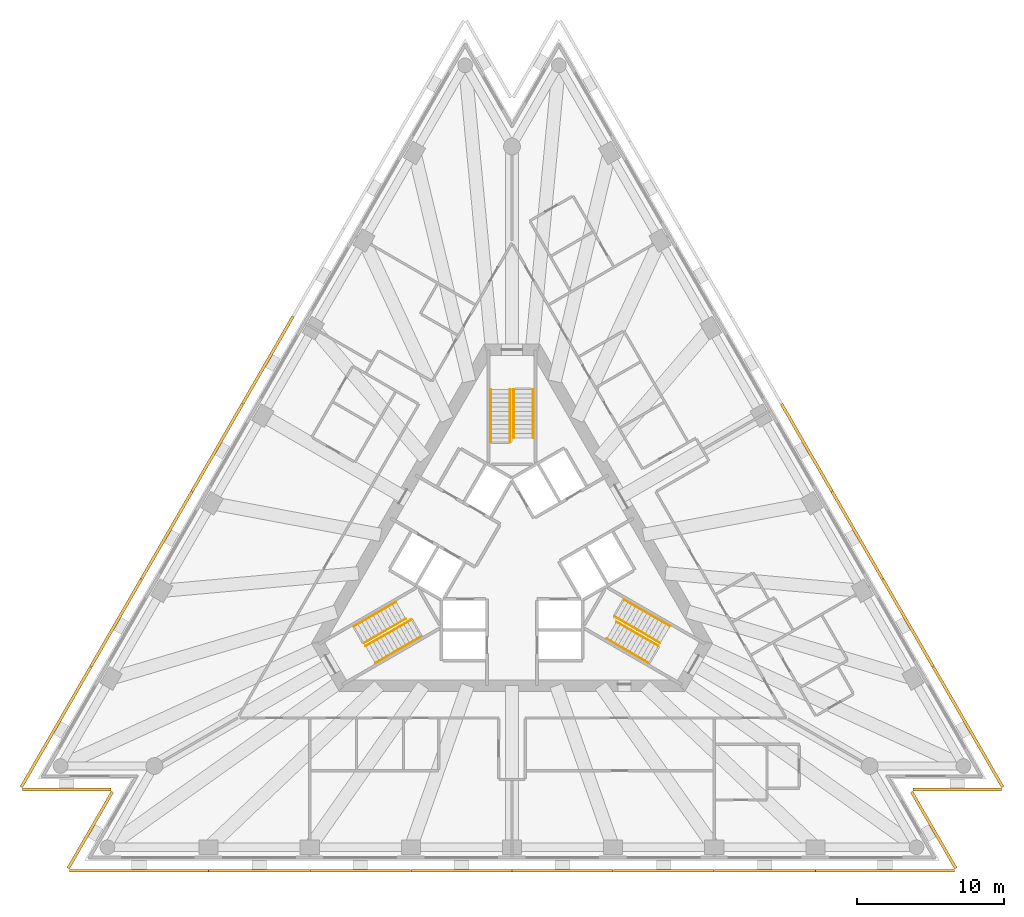
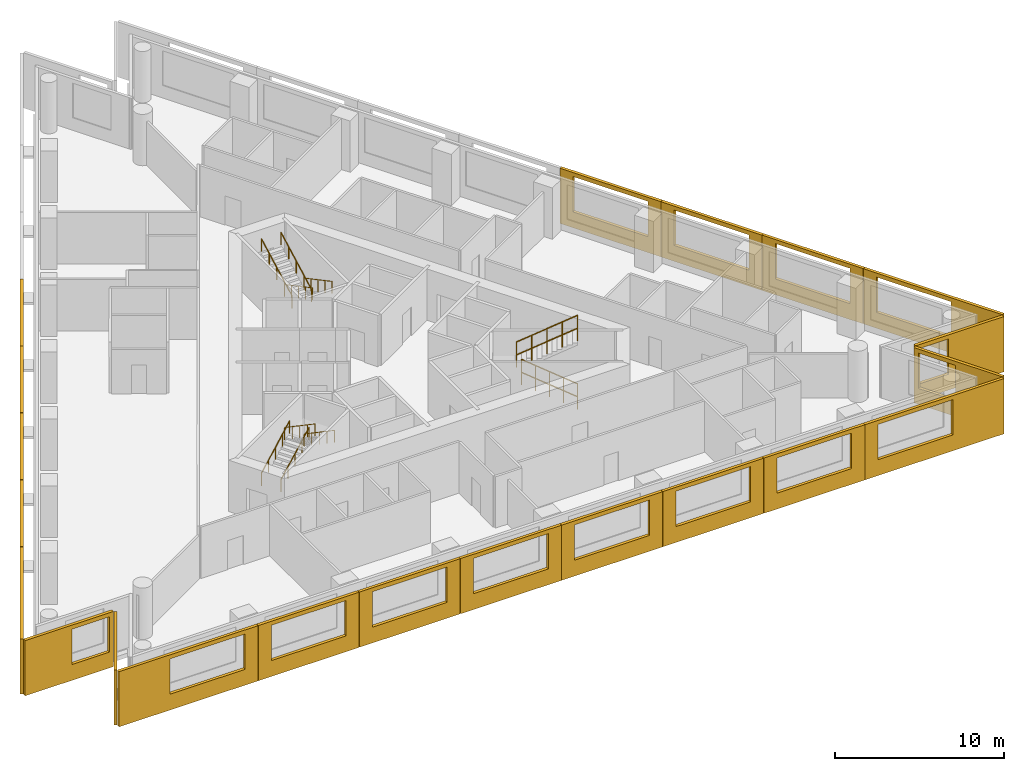
# One storey, part 9 of 10: 21 shading devices, 12 railings, 3 elements without a shape of their own.
"""IFC4 building model written with IfcOpenShell, lengths in metres."""

from ifc_helpers import new_model, si_unit, direction, frame, origin, origin_2d, place, context, subcontext, project, spatial, polyline, circle, outline, extrude, material, layer, layer_set, type_object, element, aggregate, save


model = new_model("IFC4")

# Units and contexts
model_context = context("Model", 3, precision=1e-05, world=origin(), true_north=direction((0.0, 1.0)))
body_context = subcontext(model_context, "Body", "Model", "MODEL_VIEW")
ifc_project = project(units=[si_unit("LENGTHUNIT", "METRE"), si_unit("AREAUNIT", "SQUARE_METRE"), si_unit("VOLUMEUNIT", "CUBIC_METRE"), si_unit("PLANEANGLEUNIT", "RADIAN"), si_unit("MASSUNIT", "GRAM", prefix="KILO")], contexts=[model_context])

# Site, building, storey
site_placement = place(None, origin())
site = spatial("IfcSite", under=ifc_project, at=site_placement, CompositionType="ELEMENT")
building_placement = place(site_placement, origin())
building = spatial("IfcBuilding", under=site, at=building_placement, Name="Triada Interchange Tower", CompositionType="ELEMENT")
storey_placement = place(building_placement, frame((0.0, 0.0, 116.300048828125)))
storey = spatial("IfcBuildingStorey", under=building, at=storey_placement, Name="L26", CompositionType="ELEMENT", Elevation=116.300048828125)

# Shading devices
ifc_material_1 = material(Name="Concrete C50/60 precast", Category="concrete")
ifc_layer_1 = layer(ifc_material_1, 0.02001953125, Name="Exposed aggregate face")
ifc_layer_2 = layer(ifc_material_1, 0.179931640625, Name="Precast concrete screen")
ifc_layer_set = layer_set([ifc_layer_1, ifc_layer_2], Name="Outer skin screen panel 3980")
shading_device_type = type_object("IfcShadingDeviceType", Name="Outer skin screen panel 3980", PredefinedType="SHUTTER", material=ifc_layer_set)
shading_device_1_placement = place(storey_placement, frame((-14.85009765625, 16.527099609375, -0.2900390625), z_axis=(0.0, 0.0, 1.0), x_axis=(-0.500025633803, -0.866010603596, 0.0)))
element("IfcShadingDevice", 1, at=shading_device_1_placement, inside=storey, type_object=shading_device_type, Name="Outer skin screen panel L26 04", PredefinedType="SHUTTER", context=body_context, shape_type="SweptSolid", body=[
    extrude(outline(polyline([(0.0, 0.0), (6.877685546875, 0.0), (6.877685546875, 3.97998046875), (0.0, 3.97998046875), (0.0, 0.0)]), holes=[polyline([(0.888916015625, 1.139892578125), (0.888916015625, 3.68994140625), (5.989013671875, 3.68994140625), (5.989013671875, 1.139892578125), (0.888916015625, 1.139892578125)])]), frame((0.0, 0.0, 0.0), z_axis=(0.0, -1.0, 0.0), x_axis=(1.0, 0.0, 0.0)), (0.0, 0.0, 1.0), 0.199951171875),
])
shading_device_2_placement = place(storey_placement, frame((-18.299072265625, 10.552978515625, -0.2900390625), z_axis=(0.0, 0.0, 1.0), x_axis=(-0.499919131929, -0.866072087953, 0.0)))
element("IfcShadingDevice", 2, at=shading_device_2_placement, inside=storey, type_object=shading_device_type, Name="Outer skin screen panel L26 05", PredefinedType="SHUTTER", context=body_context, shape_type="SweptSolid", body=[
    extrude(outline(polyline([(0.0, 0.0), (6.877197265625, 0.0), (6.877197265625, 3.97998046875), (0.0, 3.97998046875), (0.0, 0.0)]), holes=[polyline([(0.88916015625, 1.139892578125), (0.88916015625, 3.68994140625), (5.989013671875, 3.68994140625), (5.989013671875, 1.139892578125), (0.88916015625, 1.139892578125)])]), frame((0.0, 0.0, 0.0), z_axis=(0.0, -1.0, 0.0), x_axis=(1.0, 0.0, 0.0)), (0.0, 0.0, 1.0), 0.199951171875),
])
shading_device_3_placement = place(storey_placement, frame((-21.7470703125, 4.580078125, -0.2900390625), z_axis=(0.0, 0.0, 1.0), x_axis=(-0.499964153563, -0.866046098746, 0.0)))
element("IfcShadingDevice", 3, at=shading_device_3_placement, inside=storey, type_object=shading_device_type, Name="Outer skin screen panel L26 06", PredefinedType="SHUTTER", context=body_context, shape_type="SweptSolid", body=[
    extrude(outline(polyline([(0.0, 0.0), (6.87841796875, 0.0), (6.87841796875, 3.97998046875), (0.0, 3.97998046875), (0.0, 0.0)]), holes=[polyline([(0.88916015625, 1.139892578125), (0.88916015625, 3.68994140625), (5.9892578125, 3.68994140625), (5.9892578125, 1.139892578125), (0.88916015625, 1.139892578125)])]), frame((0.0, 0.0, 0.0), z_axis=(0.0, -1.0, 0.0), x_axis=(1.0, 0.0, 0.0)), (0.0, 0.0, 1.0), 0.199951171875),
])
shading_device_4_placement = place(storey_placement, frame((-25.196044921875, -1.39404296875, -0.2900390625), z_axis=(0.0, 0.0, 1.0), x_axis=(-0.499964153563, -0.866046098746, 0.0)))
element("IfcShadingDevice", 4, at=shading_device_4_placement, inside=storey, type_object=shading_device_type, Name="Outer skin screen panel L26 07", PredefinedType="SHUTTER", context=body_context, shape_type="SweptSolid", body=[
    extrude(outline(polyline([(0.0, 0.0), (6.87841796875, 0.0), (6.87841796875, 3.97998046875), (0.0, 3.97998046875), (0.0, 0.0)]), holes=[polyline([(0.889404296875, 1.139892578125), (0.889404296875, 3.68994140625), (5.989501953125, 3.68994140625), (5.989501953125, 1.139892578125), (0.889404296875, 1.139892578125)])]), frame((0.0, 0.0, 0.0), z_axis=(0.0, -1.0, 0.0), x_axis=(1.0, 0.0, 0.0)), (0.0, 0.0, 1.0), 0.199951171875),
])
shading_device_5_placement = place(storey_placement, frame((-28.64501953125, -7.367919921875, -0.2900390625), z_axis=(0.0, 0.0, 1.0), x_axis=(-0.500021309151, -0.866013100591, 0.0)))
element("IfcShadingDevice", 5, at=shading_device_5_placement, inside=storey, type_object=shading_device_type, Name="Outer skin screen panel L26 08", PredefinedType="SHUTTER", context=body_context, shape_type="SweptSolid", body=[
    extrude(outline(polyline([(0.0, 0.0), (9.4755859375, 0.0), (9.4755859375, 3.97998046875), (0.0, 3.97998046875), (0.0, 0.0)]), holes=[polyline([(0.888427734375, 1.139892578125), (0.888427734375, 3.68994140625), (5.988525390625, 3.68994140625), (5.988525390625, 1.139892578125), (0.888427734375, 1.139892578125)])]), frame((0.0, 0.0, 0.0), z_axis=(0.0, -1.0, 0.0), x_axis=(1.0, 0.0, 0.0)), (0.0, 0.0, 1.0), 0.199951171875),
])
shading_device_6_placement = place(storey_placement, frame((-33.3779296875, -15.5830078125, -0.2900390625), z_axis=(0.0, 0.0, 1.0), x_axis=(1.0, 0.0, 0.0)))
element("IfcShadingDevice", 6, at=shading_device_6_placement, inside=storey, type_object=shading_device_type, Name="Outer skin screen panel L26 09", PredefinedType="SHUTTER", context=body_context, shape_type="SweptSolid", body=[
    extrude(outline(polyline([(0.0, 0.0), (6.031982421875, 0.0), (6.031982421875, 3.97998046875), (0.0, 3.97998046875), (0.0, 0.0)]), holes=[polyline([(3.175048828125, 1.139892578125), (3.175048828125, 3.68994140625), (5.73193359375, 3.68994140625), (5.73193359375, 1.139892578125), (3.175048828125, 1.139892578125)])]), frame((0.0, 0.0, 0.0), z_axis=(0.0, -1.0, 0.0), x_axis=(1.0, 0.0, 0.0)), (0.0, 0.0, 1.0), 0.199951171875),
])
shading_device_7_placement = place(storey_placement, frame((-27.16796875, -15.89208984375, -0.2900390625), z_axis=(0.0, 0.0, 1.0), x_axis=(-0.500083355775, -0.865977272956, 0.0)))
element("IfcShadingDevice", 7, at=shading_device_7_placement, inside=storey, type_object=shading_device_type, Name="Outer skin screen panel L26 10", PredefinedType="SHUTTER", context=body_context, shape_type="SweptSolid", body=[
    extrude(outline(polyline([(0.0, 0.0), (6.03125, 0.0), (6.03125, 3.97998046875), (0.0, 3.97998046875), (0.0, 0.0)]), holes=[polyline([(0.300048828125, 1.139892578125), (0.300048828125, 3.68994140625), (2.2578125, 3.68994140625), (2.2578125, 1.139892578125), (0.300048828125, 1.139892578125)])]), frame((0.0, 0.0, 0.0), z_axis=(0.0, -1.0, 0.0), x_axis=(1.0, 0.0, 0.0)), (0.0, 0.0, 1.0), 0.199951171875),
])
shading_device_8_placement = place(storey_placement, frame((-30.178955078125, -21.1240234375, -0.2900390625), z_axis=(0.0, 0.0, 1.0), x_axis=(1.0, 0.0, 0.0)))
element("IfcShadingDevice", 8, at=shading_device_8_placement, inside=storey, type_object=shading_device_type, Name="Outer skin screen panel L26 11", PredefinedType="SHUTTER", context=body_context, shape_type="SweptSolid", body=[
    extrude(outline(polyline([(0.0, 0.0), (9.47607421875, 0.0), (9.47607421875, 3.97998046875), (0.0, 3.97998046875), (0.0, 0.0)]), holes=[polyline([(3.487060546875, 1.139892578125), (3.487060546875, 3.68994140625), (8.5869140625, 3.68994140625), (8.5869140625, 1.139892578125), (3.487060546875, 1.139892578125)])]), frame((0.0, 0.0, 0.0), z_axis=(0.0, -1.0, 0.0), x_axis=(1.0, 0.0, 0.0)), (0.0, 0.0, 1.0), 0.199951171875),
])
shading_device_9_placement = place(storey_placement, frame((-20.68310546875, -21.1240234375, -0.2900390625), z_axis=(0.0, 0.0, 1.0), x_axis=(1.0, 0.0, 0.0)))
element("IfcShadingDevice", 9, at=shading_device_9_placement, inside=storey, type_object=shading_device_type, Name="Outer skin screen panel L26 12", PredefinedType="SHUTTER", context=body_context, shape_type="SweptSolid", body=[
    extrude(outline(polyline([(0.0, 0.0), (6.877197265625, 0.0), (6.877197265625, 3.97998046875), (0.0, 3.97998046875), (0.0, 0.0)]), holes=[polyline([(0.889404296875, 1.139892578125), (0.889404296875, 3.68994140625), (5.9892578125, 3.68994140625), (5.9892578125, 1.139892578125), (0.889404296875, 1.139892578125)])]), frame((0.0, 0.0, 0.0), z_axis=(0.0, -1.0, 0.0), x_axis=(1.0, 0.0, 0.0)), (0.0, 0.0, 1.0), 0.199951171875),
])
shading_device_10_placement = place(storey_placement, frame((-13.785888671875, -21.1240234375, -0.2900390625), z_axis=(0.0, 0.0, 1.0), x_axis=(1.0, 0.0, 0.0)))
element("IfcShadingDevice", 10, at=shading_device_10_placement, inside=storey, type_object=shading_device_type, Name="Outer skin screen panel L26 13", PredefinedType="SHUTTER", context=body_context, shape_type="SweptSolid", body=[
    extrude(outline(polyline([(0.0, 0.0), (6.8779296875, 0.0), (6.8779296875, 3.97998046875), (0.0, 3.97998046875), (0.0, 0.0)]), holes=[polyline([(0.888427734375, 1.139892578125), (0.888427734375, 3.68994140625), (5.988525390625, 3.68994140625), (5.988525390625, 1.139892578125), (0.888427734375, 1.139892578125)])]), frame((0.0, 0.0, 0.0), z_axis=(0.0, -1.0, 0.0), x_axis=(1.0, 0.0, 0.0)), (0.0, 0.0, 1.0), 0.199951171875),
])
shading_device_11_placement = place(storey_placement, frame((-6.887939453125, -21.1240234375, -0.2900390625), z_axis=(0.0, 0.0, 1.0), x_axis=(1.0, 0.0, 0.0)))
element("IfcShadingDevice", 11, at=shading_device_11_placement, inside=storey, type_object=shading_device_type, Name="Outer skin screen panel L26 14", PredefinedType="SHUTTER", context=body_context, shape_type="SweptSolid", body=[
    extrude(outline(polyline([(0.0, 0.0), (6.8779296875, 0.0), (6.8779296875, 3.97998046875), (0.0, 3.97998046875), (0.0, 0.0)]), holes=[polyline([(0.888916015625, 1.139892578125), (0.888916015625, 3.68994140625), (5.98876953125, 3.68994140625), (5.98876953125, 1.139892578125), (0.888916015625, 1.139892578125)])]), frame((0.0, 0.0, 0.0), z_axis=(0.0, -1.0, 0.0), x_axis=(1.0, 0.0, 0.0)), (0.0, 0.0, 1.0), 0.199951171875),
])
shading_device_12_placement = place(storey_placement, frame((0.010009765625, -21.1240234375, -0.2900390625), z_axis=(0.0, 0.0, 1.0), x_axis=(1.0, 0.0, 0.0)))
element("IfcShadingDevice", 12, at=shading_device_12_placement, inside=storey, type_object=shading_device_type, Name="Outer skin screen panel L26 15", PredefinedType="SHUTTER", context=body_context, shape_type="SweptSolid", body=[
    extrude(outline(polyline([(0.0, 0.0), (6.8779296875, 0.0), (6.8779296875, 3.97998046875), (0.0, 3.97998046875), (0.0, 0.0)]), holes=[polyline([(0.888916015625, 1.139892578125), (0.888916015625, 3.68994140625), (5.989013671875, 3.68994140625), (5.989013671875, 1.139892578125), (0.888916015625, 1.139892578125)])]), frame((0.0, 0.0, 0.0), z_axis=(0.0, -1.0, 0.0), x_axis=(1.0, 0.0, 0.0)), (0.0, 0.0, 1.0), 0.199951171875),
])
shading_device_13_placement = place(storey_placement, frame((6.907958984375, -21.1240234375, -0.2900390625), z_axis=(0.0, 0.0, 1.0), x_axis=(1.0, 0.0, 0.0)))
element("IfcShadingDevice", 13, at=shading_device_13_placement, inside=storey, type_object=shading_device_type, Name="Outer skin screen panel L26 16", PredefinedType="SHUTTER", context=body_context, shape_type="SweptSolid", body=[
    extrude(outline(polyline([(0.0, 0.0), (6.876953125, 0.0), (6.876953125, 3.97998046875), (0.0, 3.97998046875), (0.0, 0.0)]), holes=[polyline([(0.88916015625, 1.139892578125), (0.88916015625, 3.68994140625), (5.9892578125, 3.68994140625), (5.9892578125, 1.139892578125), (0.88916015625, 1.139892578125)])]), frame((0.0, 0.0, 0.0), z_axis=(0.0, -1.0, 0.0), x_axis=(1.0, 0.0, 0.0)), (0.0, 0.0, 1.0), 0.199951171875),
])
shading_device_14_placement = place(storey_placement, frame((13.804931640625, -21.1240234375, -0.2900390625), z_axis=(0.0, 0.0, 1.0), x_axis=(1.0, 0.0, 0.0)))
element("IfcShadingDevice", 14, at=shading_device_14_placement, inside=storey, type_object=shading_device_type, Name="Outer skin screen panel L26 17", PredefinedType="SHUTTER", context=body_context, shape_type="SweptSolid", body=[
    extrude(outline(polyline([(0.0, 0.0), (6.878173828125, 0.0), (6.878173828125, 3.97998046875), (0.0, 3.97998046875), (0.0, 0.0)]), holes=[polyline([(0.888427734375, 1.139892578125), (0.888427734375, 3.68994140625), (5.988525390625, 3.68994140625), (5.988525390625, 1.139892578125), (0.888427734375, 1.139892578125)])]), frame((0.0, 0.0, 0.0), z_axis=(0.0, -1.0, 0.0), x_axis=(1.0, 0.0, 0.0)), (0.0, 0.0, 1.0), 0.199951171875),
])
shading_device_15_placement = place(storey_placement, frame((20.702880859375, -21.1240234375, -0.2900390625), z_axis=(0.0, 0.0, 1.0), x_axis=(1.0, 0.0, 0.0)))
element("IfcShadingDevice", 15, at=shading_device_15_placement, inside=storey, type_object=shading_device_type, Name="Outer skin screen panel L26 18", PredefinedType="SHUTTER", context=body_context, shape_type="SweptSolid", body=[
    extrude(outline(polyline([(0.0, 0.0), (9.47607421875, 0.0), (9.47607421875, 3.97998046875), (0.0, 3.97998046875), (0.0, 0.0)]), holes=[polyline([(0.888916015625, 1.139892578125), (0.888916015625, 3.68994140625), (5.98876953125, 3.68994140625), (5.98876953125, 1.139892578125), (0.888916015625, 1.139892578125)])]), frame((0.0, 0.0, 0.0), z_axis=(0.0, -1.0, 0.0), x_axis=(1.0, 0.0, 0.0)), (0.0, 0.0, 1.0), 0.199951171875),
])
shading_device_16_placement = place(storey_placement, frame((30.18408203125, -21.114990234375, -0.2900390625), z_axis=(0.0, 0.0, 1.0), x_axis=(-0.500083355775, 0.865977272956, 0.0)))
element("IfcShadingDevice", 16, at=shading_device_16_placement, inside=storey, type_object=shading_device_type, Name="Outer skin screen panel L26 19", PredefinedType="SHUTTER", context=body_context, shape_type="SweptSolid", body=[
    extrude(outline(polyline([(0.0, 0.0), (6.03125, 0.0), (6.03125, 3.97998046875), (0.0, 3.97998046875), (0.0, 0.0)]), holes=[polyline([(3.17529296875, 1.139892578125), (3.17529296875, 3.68994140625), (5.73193359375, 3.68994140625), (5.73193359375, 1.139892578125), (3.17529296875, 1.139892578125)])]), frame((0.0, 0.0, 0.0), z_axis=(0.0, -1.0, 0.0), x_axis=(1.0, 0.0, 0.0)), (0.0, 0.0, 1.0), 0.199951171875),
])
shading_device_17_placement = place(storey_placement, frame((27.345947265625, -15.5830078125, -0.2900390625), z_axis=(0.0, 0.0, 1.0), x_axis=(1.0, 0.0, 0.0)))
element("IfcShadingDevice", 17, at=shading_device_17_placement, inside=storey, type_object=shading_device_type, Name="Outer skin screen panel L26 20", PredefinedType="SHUTTER", context=body_context, shape_type="SweptSolid", body=[
    extrude(outline(polyline([(0.0, 0.0), (6.031982421875, 0.0), (6.031982421875, 3.97998046875), (0.0, 3.97998046875), (0.0, 0.0)]), holes=[polyline([(0.300048828125, 1.139892578125), (0.300048828125, 3.68994140625), (2.258056640625, 3.68994140625), (2.258056640625, 1.139892578125), (0.300048828125, 1.139892578125)])]), frame((0.0, 0.0, 0.0), z_axis=(0.0, -1.0, 0.0), x_axis=(1.0, 0.0, 0.0)), (0.0, 0.0, 1.0), 0.199951171875),
])
shading_device_18_placement = place(storey_placement, frame((33.383056640625, -15.573974609375, -0.2900390625), z_axis=(0.0, 0.0, 1.0), x_axis=(-0.500021309151, 0.866013100591, 0.0)))
element("IfcShadingDevice", 18, at=shading_device_18_placement, inside=storey, type_object=shading_device_type, Name="Outer skin screen panel L26 21", PredefinedType="SHUTTER", context=body_context, shape_type="SweptSolid", body=[
    extrude(outline(polyline([(0.0, 0.0), (9.4755859375, 0.0), (9.4755859375, 3.97998046875), (0.0, 3.97998046875), (0.0, 0.0)]), holes=[polyline([(3.4873046875, 1.139892578125), (3.4873046875, 3.68994140625), (8.58740234375, 3.68994140625), (8.58740234375, 1.139892578125), (3.4873046875, 1.139892578125)])]), frame((0.0, 0.0, 0.0), z_axis=(0.0, -1.0, 0.0), x_axis=(1.0, 0.0, 0.0)), (0.0, 0.0, 1.0), 0.199951171875),
])
shading_device_19_placement = place(storey_placement, frame((28.635009765625, -7.35107421875, -0.2900390625), z_axis=(0.0, 0.0, 1.0), x_axis=(-0.499964153563, 0.866046098746, 0.0)))
element("IfcShadingDevice", 19, at=shading_device_19_placement, inside=storey, type_object=shading_device_type, Name="Outer skin screen panel L26 22", PredefinedType="SHUTTER", context=body_context, shape_type="SweptSolid", body=[
    extrude(outline(polyline([(0.0, 0.0), (6.87841796875, 0.0), (6.87841796875, 3.97998046875), (0.0, 3.97998046875), (0.0, 0.0)]), holes=[polyline([(0.888427734375, 1.139892578125), (0.888427734375, 3.68994140625), (5.98828125, 3.68994140625), (5.98828125, 1.139892578125), (0.888427734375, 1.139892578125)])]), frame((0.0, 0.0, 0.0), z_axis=(0.0, -1.0, 0.0), x_axis=(1.0, 0.0, 0.0)), (0.0, 0.0, 1.0), 0.199951171875),
])
shading_device_20_placement = place(storey_placement, frame((25.18603515625, -1.376953125, -0.2900390625), z_axis=(0.0, 0.0, 1.0), x_axis=(-0.499964153563, 0.866046098746, 0.0)))
element("IfcShadingDevice", 20, at=shading_device_20_placement, inside=storey, type_object=shading_device_type, Name="Outer skin screen panel L26 23", PredefinedType="SHUTTER", context=body_context, shape_type="SweptSolid", body=[
    extrude(outline(polyline([(0.0, 0.0), (6.87841796875, 0.0), (6.87841796875, 3.97998046875), (0.0, 3.97998046875), (0.0, 0.0)]), holes=[polyline([(0.888427734375, 1.139892578125), (0.888427734375, 3.68994140625), (5.988525390625, 3.68994140625), (5.988525390625, 1.139892578125), (0.888427734375, 1.139892578125)])]), frame((0.0, 0.0, 0.0), z_axis=(0.0, -1.0, 0.0), x_axis=(1.0, 0.0, 0.0)), (0.0, 0.0, 1.0), 0.199951171875),
])
shading_device_21_placement = place(storey_placement, frame((21.737060546875, 4.596923828125, -0.2900390625), z_axis=(0.0, 0.0, 1.0), x_axis=(-0.499919131929, 0.866072087953, 0.0)))
element("IfcShadingDevice", 21, at=shading_device_21_placement, inside=storey, type_object=shading_device_type, Name="Outer skin screen panel L26 24", PredefinedType="SHUTTER", context=body_context, shape_type="SweptSolid", body=[
    extrude(outline(polyline([(0.0, 0.0), (6.877197265625, 0.0), (6.877197265625, 3.97998046875), (0.0, 3.97998046875), (0.0, 0.0)]), holes=[polyline([(0.888671875, 1.139892578125), (0.888671875, 3.68994140625), (5.98876953125, 3.68994140625), (5.98876953125, 1.139892578125), (0.888671875, 1.139892578125)])]), frame((0.0, 0.0, 0.0), z_axis=(0.0, -1.0, 0.0), x_axis=(1.0, 0.0, 0.0)), (0.0, 0.0, 1.0), 0.199951171875),
])

# Stair, railings
ifc_material_2 = material(Name="Concrete C35/45", Category="concrete")
stair_type = type_object("IfcStairType", Name="HALF TURN STAIR 1400", PredefinedType="HALF_TURN_STAIR", material=ifc_material_2)
stair_1_placement = place(storey_placement, origin())
stair_1 = element("IfcStair", 22, at=stair_1_placement, inside=storey, type_object=stair_type, Name="Exit stair S26-1", PredefinedType="HALF_TURN_STAIR")
ifc_material_3 = material(Name="Stainless steel 1.4301", Category="steel")
railing_type = type_object("IfcRailingType", Name="STAIR HANDRAIL 900", PredefinedType="HANDRAIL", material=ifc_material_3)
railing_1_placement = place(storey_placement, frame((1.449951171875, 11.60009765625, 0.159912109375)))
railing_1 = element("IfcRailing", 23, at=railing_1_placement, type_object=railing_type, Name="Handrail S26-1 1W", PredefinedType="HANDRAIL", context=body_context, shape_type="SweptSolid", body=[
    extrude(circle(Radius=0.02392578125, at=origin_2d()), frame((0.0, 0.0, 0.8759765625), z_axis=(0.0, -0.882354748157, 0.47058484719), x_axis=(1.0, 0.0, 0.0)), (0.0, 0.0, 1.0), 3.739990234375),
    extrude(circle(Radius=0.02099609375, at=origin_2d()), origin(), (0.0, 0.0, 1.0), 0.851806640625),
    extrude(circle(Radius=0.02099609375, at=origin_2d()), frame((0.0, -0.824951171875, 0.43994140625)), (0.0, 0.0, 1.0), 0.851806640625),
    extrude(circle(Radius=0.02099609375, at=origin_2d()), frame((0.0, -1.64990234375, 0.8798828125)), (0.0, 0.0, 1.0), 0.851806640625),
    extrude(circle(Radius=0.02099609375, at=origin_2d()), frame((0.0, -2.47509765625, 1.320068359375)), (0.0, 0.0, 1.0), 0.851806640625),
    extrude(circle(Radius=0.02099609375, at=origin_2d()), frame((0.0, -3.300048828125, 1.760009765625)), (0.0, 0.0, 1.0), 0.851806640625),
])
railing_2_placement = place(storey_placement, frame((0.1201171875, 11.60009765625, 0.159912109375)))
railing_2 = element("IfcRailing", 24, at=railing_2_placement, type_object=railing_type, Name="Handrail S26-1 1C", PredefinedType="HANDRAIL", context=body_context, shape_type="SweptSolid", body=[
    extrude(circle(Radius=0.02392578125, at=origin_2d()), frame((0.0, 0.0, 0.8759765625), z_axis=(0.0, -0.882354748157, 0.47058484719), x_axis=(1.0, 0.0, 0.0)), (0.0, 0.0, 1.0), 3.739990234375),
    extrude(circle(Radius=0.02099609375, at=origin_2d()), origin(), (0.0, 0.0, 1.0), 0.851806640625),
    extrude(circle(Radius=0.02099609375, at=origin_2d()), frame((0.0, -0.824951171875, 0.43994140625)), (0.0, 0.0, 1.0), 0.851806640625),
    extrude(circle(Radius=0.02099609375, at=origin_2d()), frame((0.0, -1.64990234375, 0.8798828125)), (0.0, 0.0, 1.0), 0.851806640625),
    extrude(circle(Radius=0.02099609375, at=origin_2d()), frame((0.0, -2.47509765625, 1.320068359375)), (0.0, 0.0, 1.0), 0.851806640625),
    extrude(circle(Radius=0.02099609375, at=origin_2d()), frame((0.0, -3.300048828125, 1.760009765625)), (0.0, 0.0, 1.0), 0.851806640625),
])
railing_3_placement = place(storey_placement, frame((-1.449951171875, 8.0, 2.079833984375)))
railing_3 = element("IfcRailing", 25, at=railing_3_placement, type_object=railing_type, Name="Handrail S26-1 2W", PredefinedType="HANDRAIL", context=body_context, shape_type="SweptSolid", body=[
    extrude(circle(Radius=0.02392578125, at=origin_2d()), frame((0.0, 0.0, 0.8759765625), z_axis=(0.0, 0.882341346394, 0.470609974867), x_axis=(-1.0, 0.0, 0.0)), (0.0, 0.0, 1.0), 4.080078125),
    extrude(circle(Radius=0.02099609375, at=origin_2d()), origin(), (0.0, 0.0, 1.0), 0.851806640625),
    extrude(circle(Radius=0.02099609375, at=origin_2d()), frame((0.0, 0.89990234375, 0.47998046875)), (0.0, 0.0, 1.0), 0.851806640625),
    extrude(circle(Radius=0.02099609375, at=origin_2d()), frame((0.0, 1.800048828125, 0.9599609375)), (0.0, 0.0, 1.0), 0.851806640625),
    extrude(circle(Radius=0.02099609375, at=origin_2d()), frame((0.0, 2.7001953125, 1.440185546875)), (0.0, 0.0, 1.0), 0.851806640625),
    extrude(circle(Radius=0.02099609375, at=origin_2d()), frame((0.0, 3.60009765625, 1.920166015625)), (0.0, 0.0, 1.0), 0.851806640625),
])
railing_4_placement = place(storey_placement, frame((-0.1201171875, 8.0, 2.079833984375)))
railing_4 = element("IfcRailing", 26, at=railing_4_placement, type_object=railing_type, Name="Handrail S26-1 2C", PredefinedType="HANDRAIL", context=body_context, shape_type="SweptSolid", body=[
    extrude(circle(Radius=0.02392578125, at=origin_2d()), frame((0.0, 0.0, 0.8759765625), z_axis=(0.0, 0.882341346394, 0.470609974867), x_axis=(-1.0, 0.0, 0.0)), (0.0, 0.0, 1.0), 4.080078125),
    extrude(circle(Radius=0.02099609375, at=origin_2d()), origin(), (0.0, 0.0, 1.0), 0.851806640625),
    extrude(circle(Radius=0.02099609375, at=origin_2d()), frame((0.0, 0.89990234375, 0.47998046875)), (0.0, 0.0, 1.0), 0.851806640625),
    extrude(circle(Radius=0.02099609375, at=origin_2d()), frame((0.0, 1.800048828125, 0.9599609375)), (0.0, 0.0, 1.0), 0.851806640625),
    extrude(circle(Radius=0.02099609375, at=origin_2d()), frame((0.0, 2.7001953125, 1.440185546875)), (0.0, 0.0, 1.0), 0.851806640625),
    extrude(circle(Radius=0.02099609375, at=origin_2d()), frame((0.0, 3.60009765625, 1.920166015625)), (0.0, 0.0, 1.0), 0.851806640625),
])
aggregate(stair_1, [railing_1, railing_2, railing_3, railing_4])

stair_2_placement = place(storey_placement, origin())
stair_2 = element("IfcStair", 27, at=stair_2_placement, inside=storey, type_object=stair_type, Name="Exit stair S26-2", PredefinedType="HALF_TURN_STAIR")
railing_5_placement = place(storey_placement, frame((-10.77099609375, -4.5439453125, 0.159912109375)))
railing_5 = element("IfcRailing", 28, at=railing_5_placement, type_object=railing_type, Name="Handrail S26-2 1W", PredefinedType="HANDRAIL", context=body_context, shape_type="SweptSolid", body=[
    extrude(circle(Radius=0.02392578125, at=origin_2d()), frame((0.0, 0.0, 0.8759765625), z_axis=(0.764150854273, 0.441152526326, 0.470593158077), x_axis=(-0.499974350878, 0.866040211805, 0.0)), (0.0, 0.0, 1.0), 3.739990234375),
    extrude(circle(Radius=0.02099609375, at=origin_2d()), origin(), (0.0, 0.0, 1.0), 0.851806640625),
    extrude(circle(Radius=0.02099609375, at=origin_2d()), frame((0.71435546875, 0.41259765625, 0.43994140625)), (0.0, 0.0, 1.0), 0.851806640625),
    extrude(circle(Radius=0.02099609375, at=origin_2d()), frame((1.428955078125, 0.824951171875, 0.8798828125)), (0.0, 0.0, 1.0), 0.851806640625),
    extrude(circle(Radius=0.02099609375, at=origin_2d()), frame((2.1435546875, 1.2373046875, 1.320068359375)), (0.0, 0.0, 1.0), 0.851806640625),
    extrude(circle(Radius=0.02099609375, at=origin_2d()), frame((2.85791015625, 1.64990234375, 1.760009765625)), (0.0, 0.0, 1.0), 0.851806640625),
])
railing_6_placement = place(storey_placement, frame((-10.10595703125, -5.696044921875, 0.159912109375)))
railing_6 = element("IfcRailing", 29, at=railing_6_placement, type_object=railing_type, Name="Handrail S26-2 1C", PredefinedType="HANDRAIL", context=body_context, shape_type="SweptSolid", body=[
    extrude(circle(Radius=0.02392578125, at=origin_2d()), frame((0.0, 0.0, 0.8759765625), z_axis=(0.76412884773, 0.441205098395, 0.470579605611), x_axis=(-0.50002983664, 0.866008176907, 0.0)), (0.0, 0.0, 1.0), 3.739990234375),
    extrude(circle(Radius=0.02099609375, at=origin_2d()), origin(), (0.0, 0.0, 1.0), 0.851806640625),
    extrude(circle(Radius=0.02099609375, at=origin_2d()), frame((0.71435546875, 0.41259765625, 0.43994140625)), (0.0, 0.0, 1.0), 0.851806640625),
    extrude(circle(Radius=0.02099609375, at=origin_2d()), frame((1.428955078125, 0.8251953125, 0.8798828125)), (0.0, 0.0, 1.0), 0.851806640625),
    extrude(circle(Radius=0.02099609375, at=origin_2d()), frame((2.1435546875, 1.237548828125, 1.320068359375)), (0.0, 0.0, 1.0), 0.851806640625),
    extrude(circle(Radius=0.02099609375, at=origin_2d()), frame((2.85791015625, 1.650146484375, 1.760009765625)), (0.0, 0.0, 1.0), 0.851806640625),
])
railing_7_placement = place(storey_placement, frame((-6.202880859375, -5.256103515625, 2.079833984375)))
railing_7 = element("IfcRailing", 30, at=railing_7_placement, type_object=railing_type, Name="Handrail S26-2 2W", PredefinedType="HANDRAIL", context=body_context, shape_type="SweptSolid", body=[
    extrude(circle(Radius=0.02392578125, at=origin_2d()), frame((0.0, 0.0, 0.8759765625), z_axis=(-0.764189758314, -0.441090424232, 0.470588196769), x_axis=(0.499902469156, -0.866081705922, 0.0)), (0.0, 0.0, 1.0), 4.080322265625),
    extrude(circle(Radius=0.02099609375, at=origin_2d()), origin(), (0.0, 0.0, 1.0), 0.851806640625),
    extrude(circle(Radius=0.02099609375, at=origin_2d()), frame((-0.779541015625, -0.449951171875, 0.47998046875)), (0.0, 0.0, 1.0), 0.851806640625),
    extrude(circle(Radius=0.02099609375, at=origin_2d()), frame((-1.55908203125, -0.89990234375, 0.9599609375)), (0.0, 0.0, 1.0), 0.851806640625),
    extrude(circle(Radius=0.02099609375, at=origin_2d()), frame((-2.338623046875, -1.349853515625, 1.440185546875)), (0.0, 0.0, 1.0), 0.851806640625),
    extrude(circle(Radius=0.02099609375, at=origin_2d()), frame((-3.1181640625, -1.7998046875, 1.920166015625)), (0.0, 0.0, 1.0), 0.851806640625),
])
railing_8_placement = place(storey_placement, frame((-6.867919921875, -4.10400390625, 2.079833984375)))
railing_8 = element("IfcRailing", 31, at=railing_8_placement, type_object=railing_type, Name="Handrail S26-2 2C", PredefinedType="HANDRAIL", context=body_context, shape_type="SweptSolid", body=[
    extrude(circle(Radius=0.02392578125, at=origin_2d()), frame((0.0, 0.0, 0.8759765625), z_axis=(-0.764169589359, -0.441138614339, 0.470575776723), x_axis=(0.49995333141, -0.866052346231, 0.0)), (0.0, 0.0, 1.0), 4.08056640625),
    extrude(circle(Radius=0.02099609375, at=origin_2d()), origin(), (0.0, 0.0, 1.0), 0.851806640625),
    extrude(circle(Radius=0.02099609375, at=origin_2d()), frame((-0.779541015625, -0.449951171875, 0.47998046875)), (0.0, 0.0, 1.0), 0.851806640625),
    extrude(circle(Radius=0.02099609375, at=origin_2d()), frame((-1.55908203125, -0.89990234375, 0.9599609375)), (0.0, 0.0, 1.0), 0.851806640625),
    extrude(circle(Radius=0.02099609375, at=origin_2d()), frame((-2.338623046875, -1.35009765625, 1.440185546875)), (0.0, 0.0, 1.0), 0.851806640625),
    extrude(circle(Radius=0.02099609375, at=origin_2d()), frame((-3.1181640625, -1.800048828125, 1.920166015625)), (0.0, 0.0, 1.0), 0.851806640625),
])
aggregate(stair_2, [railing_5, railing_6, railing_7, railing_8])

stair_3_placement = place(storey_placement, origin())
stair_3 = element("IfcStair", 32, at=stair_3_placement, inside=storey, type_object=stair_type, Name="Exit stair S26-3", PredefinedType="HALF_TURN_STAIR")
railing_9_placement = place(storey_placement, frame((9.321044921875, -7.055908203125, 0.159912109375)))
railing_9 = element("IfcRailing", 33, at=railing_9_placement, type_object=railing_type, Name="Handrail S26-3 1W", PredefinedType="HANDRAIL", context=body_context, shape_type="SweptSolid", body=[
    extrude(circle(Radius=0.02392578125, at=origin_2d()), frame((0.0, 0.0, 0.8759765625), z_axis=(-0.764178012919, 0.441130521168, 0.470569684388), x_axis=(-0.499942318283, -0.866058703778, 0.0)), (0.0, 0.0, 1.0), 3.740234375),
    extrude(circle(Radius=0.02099609375, at=origin_2d()), origin(), (0.0, 0.0, 1.0), 0.851806640625),
    extrude(circle(Radius=0.02099609375, at=origin_2d()), frame((-0.714599609375, 0.41259765625, 0.43994140625)), (0.0, 0.0, 1.0), 0.851806640625),
    extrude(circle(Radius=0.02099609375, at=origin_2d()), frame((-1.42919921875, 0.824951171875, 0.8798828125)), (0.0, 0.0, 1.0), 0.851806640625),
    extrude(circle(Radius=0.02099609375, at=origin_2d()), frame((-2.1435546875, 1.2373046875, 1.320068359375)), (0.0, 0.0, 1.0), 0.851806640625),
    extrude(circle(Radius=0.02099609375, at=origin_2d()), frame((-2.858154296875, 1.64990234375, 1.760009765625)), (0.0, 0.0, 1.0), 0.851806640625),
])
railing_10_placement = place(storey_placement, frame((9.986083984375, -5.904052734375, 0.159912109375)))
railing_10 = element("IfcRailing", 34, at=railing_10_placement, type_object=railing_type, Name="Handrail S26-3 1C", PredefinedType="HANDRAIL", context=body_context, shape_type="SweptSolid", body=[
    extrude(circle(Radius=0.02392578125, at=origin_2d()), frame((0.0, 0.0, 0.8759765625), z_axis=(-0.764156007789, 0.441183091881, 0.47055613395), x_axis=(-0.49999780286, -0.8660266723, 0.0)), (0.0, 0.0, 1.0), 3.740234375),
    extrude(circle(Radius=0.02099609375, at=origin_2d()), origin(), (0.0, 0.0, 1.0), 0.851806640625),
    extrude(circle(Radius=0.02099609375, at=origin_2d()), frame((-0.714599609375, 0.41259765625, 0.43994140625)), (0.0, 0.0, 1.0), 0.851806640625),
    extrude(circle(Radius=0.02099609375, at=origin_2d()), frame((-1.42919921875, 0.8251953125, 0.8798828125)), (0.0, 0.0, 1.0), 0.851806640625),
    extrude(circle(Radius=0.02099609375, at=origin_2d()), frame((-2.1435546875, 1.237548828125, 1.320068359375)), (0.0, 0.0, 1.0), 0.851806640625),
    extrude(circle(Radius=0.02099609375, at=origin_2d()), frame((-2.858154296875, 1.650146484375, 1.760009765625)), (0.0, 0.0, 1.0), 0.851806640625),
])
railing_11_placement = place(storey_placement, frame((7.653076171875, -2.743896484375, 2.079833984375)))
railing_11 = element("IfcRailing", 35, at=railing_11_placement, type_object=railing_type, Name="Handrail S26-3 2W", PredefinedType="HANDRAIL", context=body_context, shape_type="SweptSolid", body=[
    extrude(circle(Radius=0.02392578125, at=origin_2d()), frame((0.0, 0.0, 0.8759765625), z_axis=(0.76414469501, -0.441158784458, 0.470597292793), x_axis=(0.499982693035, 0.866035395735, 0.0)), (0.0, 0.0, 1.0), 4.080322265625),
    extrude(circle(Radius=0.02099609375, at=origin_2d()), origin(), (0.0, 0.0, 1.0), 0.851806640625),
    extrude(circle(Radius=0.02099609375, at=origin_2d()), frame((0.779541015625, -0.449951171875, 0.47998046875)), (0.0, 0.0, 1.0), 0.851806640625),
    extrude(circle(Radius=0.02099609375, at=origin_2d()), frame((1.55908203125, -0.89990234375, 0.9599609375)), (0.0, 0.0, 1.0), 0.851806640625),
    extrude(circle(Radius=0.02099609375, at=origin_2d()), frame((2.33837890625, -1.35009765625, 1.440185546875)), (0.0, 0.0, 1.0), 0.851806640625),
    extrude(circle(Radius=0.02099609375, at=origin_2d()), frame((3.117919921875, -1.800048828125, 1.920166015625)), (0.0, 0.0, 1.0), 0.851806640625),
])
railing_12_placement = place(storey_placement, frame((6.988037109375, -3.89599609375, 2.079833984375)))
railing_12 = element("IfcRailing", 36, at=railing_12_placement, type_object=railing_type, Name="Handrail S26-3 2C", PredefinedType="HANDRAIL", context=body_context, shape_type="SweptSolid", body=[
    extrude(circle(Radius=0.02392578125, at=origin_2d()), frame((0.0, 0.0, 0.8759765625), z_axis=(0.76414469501, -0.441158784458, 0.470597292793), x_axis=(0.499982693035, 0.866035395735, 0.0)), (0.0, 0.0, 1.0), 4.080322265625),
    extrude(circle(Radius=0.02099609375, at=origin_2d()), origin(), (0.0, 0.0, 1.0), 0.851806640625),
    extrude(circle(Radius=0.02099609375, at=origin_2d()), frame((0.779541015625, -0.449951171875, 0.47998046875)), (0.0, 0.0, 1.0), 0.851806640625),
    extrude(circle(Radius=0.02099609375, at=origin_2d()), frame((1.55908203125, -0.89990234375, 0.9599609375)), (0.0, 0.0, 1.0), 0.851806640625),
    extrude(circle(Radius=0.02099609375, at=origin_2d()), frame((2.33837890625, -1.35009765625, 1.440185546875)), (0.0, 0.0, 1.0), 0.851806640625),
    extrude(circle(Radius=0.02099609375, at=origin_2d()), frame((3.117919921875, -1.800048828125, 1.920166015625)), (0.0, 0.0, 1.0), 0.851806640625),
])
aggregate(stair_3, [railing_9, railing_10, railing_11, railing_12])

save(model, "model.ifc")
